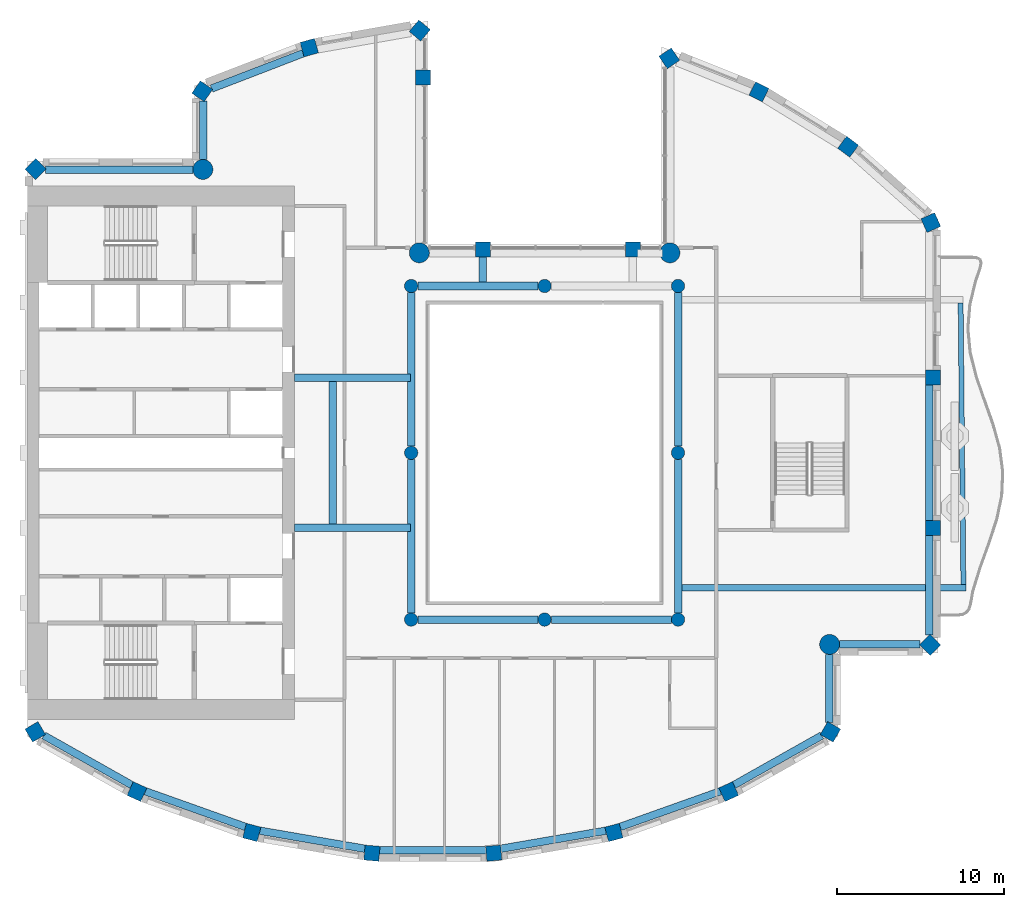
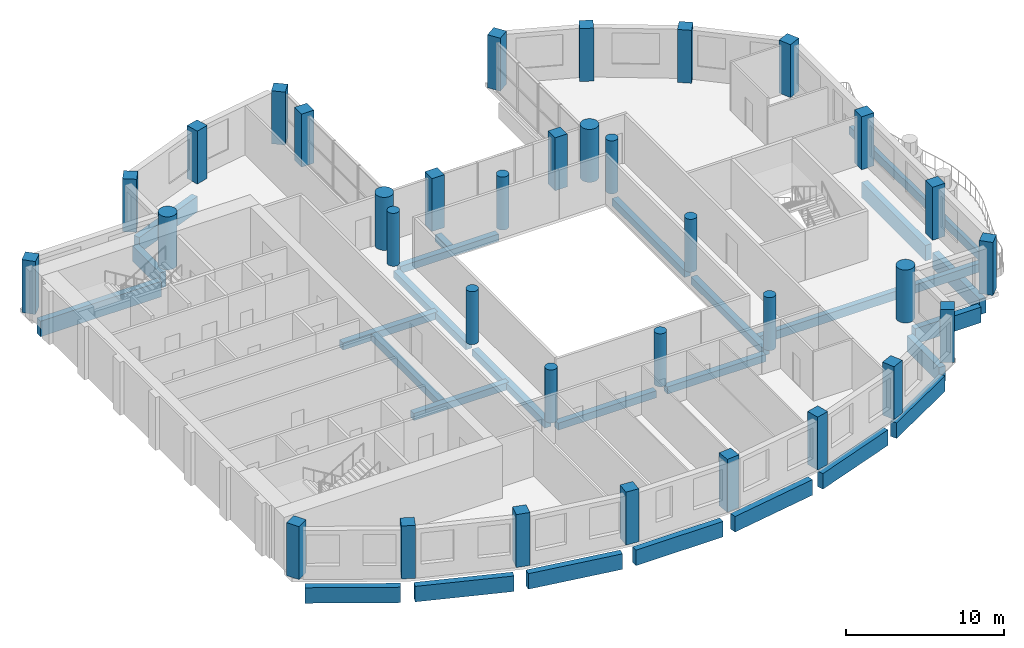
# One storey, part 1 of 15: 34 columns, 27 beams.
"""IFC4 building model written with IfcOpenShell, lengths in metres."""

from ifc_helpers import new_model, si_unit, direction, frame, origin, origin_2d, place, context, subcontext, project, spatial, rectangle, circle, extrude, material, material_profile, profile_set, type_object, element, save


model = new_model("IFC4")

# Units and contexts
model_context = context("Model", 3, precision=1e-05, world=origin(), true_north=direction((0.0, 1.0)))
body_context = subcontext(model_context, "Body", "Model", "MODEL_VIEW")
ifc_project = project(units=[si_unit("LENGTHUNIT", "METRE"), si_unit("AREAUNIT", "SQUARE_METRE"), si_unit("VOLUMEUNIT", "CUBIC_METRE"), si_unit("PLANEANGLEUNIT", "RADIAN"), si_unit("MASSUNIT", "GRAM", prefix="KILO")], contexts=[model_context])

# Site, building, storey
site_placement = place(None, origin())
site = spatial("IfcSite", under=ifc_project, at=site_placement, CompositionType="ELEMENT")
building_placement = place(site_placement, origin())
building = spatial("IfcBuilding", under=site, at=building_placement, Name="Cypress Arch Tower", CompositionType="ELEMENT")
storey_placement = place(building_placement, frame((0.0, 0.0, 309.0)))
storey = spatial("IfcBuildingStorey", under=building, at=storey_placement, Name="L70", CompositionType="ELEMENT", Elevation=309.0)

# Columns
ifc_material_1 = material(Name="Concrete C60/75", Category="concrete")
ifc_material_profile_1 = material_profile(ifc_material_1, rectangle(XDim=0.89990234375, YDim=0.89990234375, at=origin_2d()), Name="RC 900x900")
ifc_profile_set_1 = profile_set([ifc_material_profile_1], Name="Concrete C60/75")
column_type_1 = type_object("IfcColumnType", Name="Column RC 900x900 Concrete C60/75", PredefinedType="COLUMN", material=ifc_profile_set_1)
for number, where, z_axis, x_axis, name in (
    (1, (8.474853515625, 23.6474609375, 0.0), (0.0, 0.0, 1.0), (-0.828469606019, -0.560034027451, 0.0), "Column L70 CC00"),
    (2, (6.300048828125, 12.199951171875, 0.0), (0.0, 0.0, 1.0), (-1.0, 0.0, 0.0), "Column L70 CC02"),
    (3, (-2.699951171875, 12.199951171875, 0.0), (0.0, 0.0, 1.0), (-1.0, 0.0, 0.0), "Column L70 CC03"),
    (4, (-6.300048828125, 22.5, 0.0), (0.0, 0.0, 1.0), (0.0, 1.0, 0.0), "Column L70 CC05"),
    (5, (-6.48388671875, 25.313232421875, 0.0), (0.0, 0.0, 1.0), (-0.766063514674, 0.642764880407, 0.0), "Column L70 CC06"),
    (6, (-13.108154296875, 24.28955078125, 0.0), (0.0, 0.0, 1.0), (-0.96345574646, -0.267867550506, 0.0), "Column L70 CC07"),
    (7, (-19.5244140625, 21.673583984375, 0.0), (0.0, 0.0, 1.0), (-0.565892599589, -0.824478966215, 0.0), "Column L70 CC08"),
    (8, (-29.513671875, 17.013671875, 0.0), (0.0, 0.0, 1.0), (-0.707106781187, -0.707106781187, 0.0), "Column L70 CC10"),
    (9, (-29.534423828125, -16.72802734375, 0.0), (0.0, 0.0, 1.0), (0.504399289829, -0.86347053014, 0.0), "Column L70 CC11"),
    (10, (-23.439697265625, -20.312255859375, 0.0), (0.0, 0.0, 1.0), (0.909932071487, -0.414757308891, 0.0), "Column L70 CC12"),
    (11, (-16.55419921875, -22.762939453125, 0.0), (0.0, 0.0, 1.0), (0.96735573689, -0.2534223319, 0.0), "Column L70 CC13"),
    (12, (-9.351318359375, -24.00341796875, 0.0), (0.0, 0.0, 1.0), (0.996368206733, -0.085149260784, 0.0), "Column L70 CC14"),
    (13, (-2.048828125, -24.00341796875, 0.0), (0.0, 0.0, 1.0), (0.996368206733, 0.085149260784, 0.0), "Column L70 CC15"),
    (14, (5.154296875, -22.762939453125, 0.0), (0.0, 0.0, 1.0), (0.96735573689, 0.2534223319, 0.0), "Column L70 CC16"),
    (15, (12.039794921875, -20.312255859375, 0.0), (0.0, 0.0, 1.0), (0.909932071487, 0.414757308891, 0.0), "Column L70 CC17"),
    (16, (18.134521484375, -16.72802734375, 0.0), (0.0, 0.0, 1.0), (0.504399289829, 0.86347053014, 0.0), "Column L70 CC18"),
    (17, (24.113525390625, -11.513671875, 0.0), (0.0, 0.0, 1.0), (0.707106781187, 0.707106781187, 0.0), "Column L70 CC20"),
    (18, (24.300048828125, -4.5, 0.0), (0.0, 0.0, 1.0), (0.0, 1.0, 0.0), "Column L70 CC21"),
    (19, (24.300048828125, 4.5, 0.0), (0.0, 0.0, 1.0), (0.0, 1.0, 0.0), "Column L70 CC22"),
    (20, (24.155029296875, 13.800048828125, 0.0), (0.0, 0.0, 1.0), (-0.409765058504, 0.912191096662, 0.0), "Column L70 CC23"),
    (21, (19.197998046875, 18.347900390625, 0.0), (0.0, 0.0, 1.0), (-0.802798546114, 0.596250362144, 0.0), "Column L70 CC24"),
    (22, (13.84814453125, 21.638427734375, 0.0), (0.0, 0.0, 1.0), (-0.893106499805, 0.44984528452, 0.0), "Column L70 CC25"),
):
    element("IfcColumn", number, at=place(storey_placement, frame(where, z_axis=z_axis, x_axis=x_axis)), inside=storey, type_object=column_type_1, Name=name, PredefinedType="COLUMN", context=body_context, shape_type="SweptSolid", body=[
        extrude(rectangle(XDim=0.89990234375, YDim=0.89990234375, at=origin_2d()), origin(), (0.0, 0.0, 1.0), 4.10009765625),
    ])
ifc_material_2 = material(Name="Concrete C60/75", Category="concrete")
ifc_material_profile_2 = material_profile(ifc_material_2, circle(Radius=0.39990234375, at=origin_2d()), Name="RC D800")
ifc_profile_set_2 = profile_set([ifc_material_profile_2], Name="Concrete C60/75")
column_type_2 = type_object("IfcColumnType", Name="Column RC D800 Concrete C60/75", PredefinedType="COLUMN", material=ifc_profile_set_2)
for number, where, z_axis, x_axis, name in (
    (23, (-7.0, -10.0, 0.0), (0.0, 0.0, 1.0), (1.0, 0.0, 0.0), "Column L70 RNG-L70-G-7-10"),
    (24, (-7.0, 0.0, 0.0), (0.0, 0.0, 1.0), (1.0, 0.0, 0.0), "Column L70 RNG-L70-G-7+0"),
    (25, (-7.0, 10.0, 0.0), (0.0, 0.0, 1.0), (1.0, 0.0, 0.0), "Column L70 RNG-L70-G-7+10"),
    (26, (1.0, -10.0, 0.0), (0.0, 0.0, 1.0), (1.0, 0.0, 0.0), "Column L70 RNG-L70-G+1-10"),
    (27, (1.0, 10.0, 0.0), (0.0, 0.0, 1.0), (1.0, 0.0, 0.0), "Column L70 RNG-L70-G+1+10"),
    (28, (9.0, -10.0, 0.0), (0.0, 0.0, 1.0), (1.0, 0.0, 0.0), "Column L70 RNG-L70-G+9-10"),
    (29, (9.0, 0.0, 0.0), (0.0, 0.0, 1.0), (1.0, 0.0, 0.0), "Column L70 RNG-L70-G+9+0"),
    (30, (9.0, 10.0, 0.0), (0.0, 0.0, 1.0), (1.0, 0.0, 0.0), "Column L70 RNG-L70-G+9+10"),
):
    element("IfcColumn", number, at=place(storey_placement, frame(where, z_axis=z_axis, x_axis=x_axis)), inside=storey, type_object=column_type_2, Name=name, PredefinedType="COLUMN", context=body_context, shape_type="SweptSolid", body=[
        extrude(circle(Radius=0.39990234375, at=origin_2d()), origin(), (0.0, 0.0, 1.0), 4.10009765625),
    ])
ifc_material_3 = material(Name="Concrete C60/75", Category="concrete")
ifc_material_profile_3 = material_profile(ifc_material_3, circle(Radius=0.60009765625, at=origin_2d()), Name="RC D1200")
ifc_profile_set_3 = profile_set([ifc_material_profile_3], Name="Concrete C60/75")
column_type_3 = type_object("IfcColumnType", Name="Mega-column RC D1200 Concrete C60/75", PredefinedType="COLUMN", material=ifc_profile_set_3)
for number, where, z_axis, x_axis, name in (
    (31, (8.51220703125, 11.98779296875, 0.0), (0.0, 0.0, 1.0), (1.0, 0.0, 0.0), "Column L70 CC01"),
    (32, (-6.51220703125, 11.98779296875, 0.0), (0.0, 0.0, 1.0), (1.0, 0.0, 0.0), "Column L70 CC04"),
    (33, (-19.48779296875, 16.98779296875, 0.0), (0.0, 0.0, 1.0), (1.0, 0.0, 0.0), "Column L70 CC09"),
    (34, (18.087890625, -11.48779296875, 0.0), (0.0, 0.0, 1.0), (1.0, 0.0, 0.0), "Column L70 CC19"),
):
    element("IfcColumn", number, at=place(storey_placement, frame(where, z_axis=z_axis, x_axis=x_axis)), inside=storey, type_object=column_type_3, Name=name, PredefinedType="COLUMN", context=body_context, shape_type="SweptSolid", body=[
        extrude(circle(Radius=0.60009765625, at=origin_2d()), origin(), (0.0, 0.0, 1.0), 4.10009765625),
    ])

# Beams
ifc_material_4 = material(Name="Concrete C50/60", Category="concrete")
ifc_material_profile_4 = material_profile(ifc_material_4, rectangle(XDim=0.300048828125, YDim=0.64990234375, at=origin_2d()), Name="RC 300x650")
ifc_profile_set_4 = profile_set([ifc_material_profile_4], Name="Concrete C50/60")
beam_type_1 = type_object("IfcBeamType", Name="Balcony edge beam RC 300x650 Concrete C50/60", PredefinedType="BEAM", material=ifc_profile_set_4)
beam_1_placement = place(storey_placement, frame((26.107177734375, -7.89990234375, -0.625), z_axis=(-0.00974632308, 0.999952503465, 0.0), x_axis=(-0.999952503465, -0.00974632308, 0.0)))
element("IfcBeam", 35, at=beam_1_placement, inside=storey, type_object=beam_type_1, Name="Balcony edge beam L70 C17", PredefinedType="BEAM", context=body_context, shape_type="SweptSolid", body=[
    extrude(rectangle(XDim=0.300048828125, YDim=0.64990234375, at=origin_2d()), origin(), (0.0, 0.0, 1.0), 16.88330078125),
])
ifc_material_5 = material(Name="Concrete C50/60", Category="concrete")
ifc_material_profile_5 = material_profile(ifc_material_5, rectangle(XDim=0.39990234375, YDim=0.64990234375, at=origin_2d()), Name="RC 400x650")
ifc_profile_set_5 = profile_set([ifc_material_profile_5], Name="Concrete C50/60")
beam_type_2 = type_object("IfcBeamType", Name="Cantilever beam RC 400x650 Concrete C50/60", PredefinedType="BEAM", material=ifc_profile_set_5)
beam_2_placement = place(storey_placement, frame((9.22509765625, -8.10009765625, -0.625), z_axis=(1.0, 0.0, 0.0), x_axis=(0.0, 1.0, 0.0)))
element("IfcBeam", 36, at=beam_2_placement, inside=storey, type_object=beam_type_2, Name="Cantilever beam L70 C17 1", PredefinedType="BEAM", context=body_context, shape_type="SweptSolid", body=[
    extrude(rectangle(XDim=0.39990234375, YDim=0.64990234375, at=origin_2d()), origin(), (0.0, 0.0, 1.0), 17.031982421875),
])
ifc_material_6 = material(Name="Concrete C50/60", Category="concrete")
ifc_material_profile_6 = material_profile(ifc_material_6, rectangle(XDim=0.449951171875, YDim=0.550048828125, at=origin_2d()), Name="RC 450x550")
ifc_profile_set_6 = profile_set([ifc_material_profile_6], Name="Concrete C50/60")
beam_type_3 = type_object("IfcBeamType", Name="Floor beam RC 450x550 Concrete C50/60", PredefinedType="BEAM", material=ifc_profile_set_6)
for number, where, z_axis, x_axis, name in (
    (37, (-7.0, -9.60009765625, -0.574951171875), (0.0, 1.0, 0.0), (-1.0, 0.0, 0.0), "Floor beam L70 RB001"),
    (38, (-7.0, 0.39990234375, -0.574951171875), (0.0, 1.0, 0.0), (-1.0, 0.0, 0.0), "Floor beam L70 RB002"),
    (39, (9.0, -9.60009765625, -0.574951171875), (0.0, 1.0, 0.0), (-1.0, 0.0, 0.0), "Floor beam L70 RB003"),
    (40, (9.0, 0.39990234375, -0.574951171875), (0.0, 1.0, 0.0), (-1.0, 0.0, 0.0), "Floor beam L70 RB004"),
):
    element("IfcBeam", number, at=place(storey_placement, frame(where, z_axis=z_axis, x_axis=x_axis)), inside=storey, type_object=beam_type_3, Name=name, PredefinedType="BEAM", context=body_context, shape_type="SweptSolid", body=[
        extrude(rectangle(XDim=0.449951171875, YDim=0.550048828125, at=origin_2d()), origin(), (0.0, 0.0, 1.0), 9.2001953125),
    ])
for number, where, z_axis, x_axis, name in (
    (41, (-6.60009765625, -10.0, -0.574951171875), (1.0, 0.0, 0.0), (0.0, 1.0, 0.0), "Floor beam L70 RB005"),
    (42, (1.39990234375, -10.0, -0.574951171875), (1.0, 0.0, 0.0), (0.0, 1.0, 0.0), "Floor beam L70 RB006"),
    (43, (-6.60009765625, 10.0, -0.574951171875), (1.0, 0.0, 0.0), (0.0, 1.0, 0.0), "Floor beam L70 RB007"),
):
    element("IfcBeam", number, at=place(storey_placement, frame(where, z_axis=z_axis, x_axis=x_axis)), inside=storey, type_object=beam_type_3, Name=name, PredefinedType="BEAM", context=body_context, shape_type="SweptSolid", body=[
        extrude(rectangle(XDim=0.449951171875, YDim=0.550048828125, at=origin_2d()), origin(), (0.0, 0.0, 1.0), 7.2001953125),
    ])
for number, where, z_axis, x_axis, name in (
    (44, (-14.0, -4.5, -0.574951171875), (1.0, 0.0, 0.0), (0.0, 1.0, 0.0), "Floor beam L70 FB009"),
    (45, (-14.0, 4.5, -0.574951171875), (1.0, 0.0, 0.0), (0.0, 1.0, 0.0), "Floor beam L70 FB010"),
):
    element("IfcBeam", number, at=place(storey_placement, frame(where, z_axis=z_axis, x_axis=x_axis)), inside=storey, type_object=beam_type_3, Name=name, PredefinedType="BEAM", context=body_context, shape_type="SweptSolid", body=[
        extrude(rectangle(XDim=0.449951171875, YDim=0.550048828125, at=origin_2d()), origin(), (0.0, 0.0, 1.0), 6.949951171875),
    ])
beam_3_placement = place(storey_placement, frame((-11.699951171875, -4.27490234375, -0.574951171875), z_axis=(0.0, 1.0, 0.0), x_axis=(-1.0, 0.0, 0.0)))
element("IfcBeam", 46, at=beam_3_placement, inside=storey, type_object=beam_type_3, Name="Floor beam L70 FB011", PredefinedType="BEAM", context=body_context, shape_type="SweptSolid", body=[
    extrude(rectangle(XDim=0.449951171875, YDim=0.550048828125, at=origin_2d()), origin(), (0.0, 0.0, 1.0), 8.5498046875),
])
beam_4_placement = place(storey_placement, frame((-2.699951171875, 10.22509765625, -0.574951171875), z_axis=(0.0, 1.0, 0.0), x_axis=(-1.0, 0.0, 0.0)))
element("IfcBeam", 47, at=beam_4_placement, inside=storey, type_object=beam_type_3, Name="Floor beam L70 FB012", PredefinedType="BEAM", context=body_context, shape_type="SweptSolid", body=[
    extrude(rectangle(XDim=0.449951171875, YDim=0.550048828125, at=origin_2d()), origin(), (0.0, 0.0, 1.0), 1.52490234375),
])
ifc_material_7 = material(Name="Concrete C50/60", Category="concrete")
ifc_material_profile_7 = material_profile(ifc_material_7, rectangle(XDim=0.449951171875, YDim=1.199951171875, at=origin_2d()), Name="RC 450x1200")
ifc_profile_set_7 = profile_set([ifc_material_profile_7], Name="Concrete C50/60")
beam_type_4 = type_object("IfcBeamType", Name="Spandrel beam RC 450x1200 Concrete C50/60", PredefinedType="SPANDREL", material=ifc_profile_set_7)
beam_5_placement = place(storey_placement, frame((-13.48046875, 23.94921875, -1.550048828125), z_axis=(-0.933138853319, -0.359516175472, 0.0), x_axis=(0.359516175472, -0.933138853319, 0.0)))
element("IfcBeam", 48, at=beam_5_placement, inside=storey, type_object=beam_type_4, Name="Spandrel beam L70 BC04-0", PredefinedType="SPANDREL", context=body_context, shape_type="SweptSolid", body=[
    extrude(rectangle(XDim=0.449951171875, YDim=1.199951171875, at=origin_2d()), origin(), (0.0, 0.0, 1.0), 5.878173828125),
])
beam_6_placement = place(storey_placement, frame((-19.47509765625, 21.09375, -1.550048828125), z_axis=(0.0, -1.0, 0.0), x_axis=(1.0, 0.0, 0.0)))
element("IfcBeam", 49, at=beam_6_placement, inside=storey, type_object=beam_type_4, Name="Spandrel beam L70 BC05-0", PredefinedType="SPANDREL", context=body_context, shape_type="SweptSolid", body=[
    extrude(rectangle(XDim=0.449951171875, YDim=1.199951171875, at=origin_2d()), origin(), (0.0, 0.0, 1.0), 3.506103515625),
])
beam_7_placement = place(storey_placement, frame((-20.087646484375, 16.97509765625, -1.550048828125), z_axis=(-1.0, 0.0, 0.0), x_axis=(0.0, -1.0, 0.0)))
element("IfcBeam", 50, at=beam_7_placement, inside=storey, type_object=beam_type_4, Name="Spandrel beam L70 BC06-0", PredefinedType="SPANDREL", context=body_context, shape_type="SweptSolid", body=[
    extrude(rectangle(XDim=0.449951171875, YDim=1.199951171875, at=origin_2d()), origin(), (0.0, 0.0, 1.0), 8.828125),
])
beam_8_placement = place(storey_placement, frame((-29.02099609375, -16.94921875, -1.550048828125), z_axis=(0.871059543975, -0.491177433165, 0.0), x_axis=(0.491177433165, 0.871059543975, 0.0)))
element("IfcBeam", 51, at=beam_8_placement, inside=storey, type_object=beam_type_4, Name="Spandrel beam L70 BC08-0", PredefinedType="SPANDREL", context=body_context, shape_type="SweptSolid", body=[
    extrude(rectangle(XDim=0.449951171875, YDim=1.199951171875, at=origin_2d()), origin(), (0.0, 0.0, 1.0), 6.045654296875),
])
beam_9_placement = place(storey_placement, frame((-22.93603515625, -20.2919921875, -1.550048828125), z_axis=(0.942120065582, -0.33527568064, 0.0), x_axis=(0.33527568064, 0.942120065582, 0.0)))
element("IfcBeam", 52, at=beam_9_placement, inside=storey, type_object=beam_type_4, Name="Spandrel beam L70 BC09-0", PredefinedType="SPANDREL", context=body_context, shape_type="SweptSolid", body=[
    extrude(rectangle(XDim=0.449951171875, YDim=1.199951171875, at=origin_2d()), origin(), (0.0, 0.0, 1.0), 6.373046875),
])
beam_10_placement = place(storey_placement, frame((-16.061279296875, -22.656982421875, -1.550048828125), z_axis=(0.985502990778, -0.169658053646, 0.0), x_axis=(0.169658053646, 0.985502990778, 0.0)))
element("IfcBeam", 53, at=beam_10_placement, inside=storey, type_object=beam_type_4, Name="Spandrel beam L70 BC10-0", PredefinedType="SPANDREL", context=body_context, shape_type="SweptSolid", body=[
    extrude(rectangle(XDim=0.449951171875, YDim=1.199951171875, at=origin_2d()), origin(), (0.0, 0.0, 1.0), 6.373291015625),
])
beam_11_placement = place(storey_placement, frame((-8.883544921875, -23.81494140625, -1.550048828125), z_axis=(1.0, 0.0, 0.0), x_axis=(0.0, 1.0, 0.0)))
element("IfcBeam", 54, at=beam_11_placement, inside=storey, type_object=beam_type_4, Name="Spandrel beam L70 BC11-0", PredefinedType="SPANDREL", context=body_context, shape_type="SweptSolid", body=[
    extrude(rectangle(XDim=0.449951171875, YDim=1.199951171875, at=origin_2d()), origin(), (0.0, 0.0, 1.0), 6.366943359375),
])
beam_12_placement = place(storey_placement, frame((-1.619873046875, -23.73828125, -1.550048828125), z_axis=(0.985504093315, 0.169651649149, 0.0), x_axis=(-0.169651649149, 0.985504093315, 0.0)))
element("IfcBeam", 55, at=beam_12_placement, inside=storey, type_object=beam_type_4, Name="Spandrel beam L70 BC12-0", PredefinedType="SPANDREL", context=body_context, shape_type="SweptSolid", body=[
    extrude(rectangle(XDim=0.449951171875, YDim=1.199951171875, at=origin_2d()), origin(), (0.0, 0.0, 1.0), 6.37353515625),
])
beam_13_placement = place(storey_placement, frame((5.531982421875, -22.4287109375, -1.550048828125), z_axis=(0.942115759102, 0.335287781541, 0.0), x_axis=(-0.335287781541, 0.942115759102, 0.0)))
element("IfcBeam", 56, at=beam_13_placement, inside=storey, type_object=beam_type_4, Name="Spandrel beam L70 BC13-0", PredefinedType="SPANDREL", context=body_context, shape_type="SweptSolid", body=[
    extrude(rectangle(XDim=0.449951171875, YDim=1.199951171875, at=origin_2d()), origin(), (0.0, 0.0, 1.0), 6.372802734375),
])
beam_14_placement = place(storey_placement, frame((12.35498046875, -19.918701171875, -1.550048828125), z_axis=(0.871059543975, 0.491177433165, 0.0), x_axis=(-0.491177433165, 0.871059543975, 0.0)))
element("IfcBeam", 57, at=beam_14_placement, inside=storey, type_object=beam_type_4, Name="Spandrel beam L70 BC14-0", PredefinedType="SPANDREL", context=body_context, shape_type="SweptSolid", body=[
    extrude(rectangle(XDim=0.449951171875, YDim=1.199951171875, at=origin_2d()), origin(), (0.0, 0.0, 1.0), 6.045654296875),
])
beam_15_placement = place(storey_placement, frame((18.074951171875, -16.172119140625, -1.550048828125), z_axis=(0.0, 1.0, 0.0), x_axis=(-1.0, 0.0, 0.0)))
element("IfcBeam", 58, at=beam_15_placement, inside=storey, type_object=beam_type_4, Name="Spandrel beam L70 BC15-0", PredefinedType="SPANDREL", context=body_context, shape_type="SweptSolid", body=[
    extrude(rectangle(XDim=0.449951171875, YDim=1.199951171875, at=origin_2d()), origin(), (0.0, 0.0, 1.0), 4.08447265625),
])
beam_16_placement = place(storey_placement, frame((18.6875, -11.47509765625, -1.550048828125), z_axis=(1.0, 0.0, 0.0), x_axis=(0.0, 1.0, 0.0)))
element("IfcBeam", 59, at=beam_16_placement, inside=storey, type_object=beam_type_4, Name="Spandrel beam L70 BC16-0", PredefinedType="SPANDREL", context=body_context, shape_type="SweptSolid", body=[
    extrude(rectangle(XDim=0.449951171875, YDim=1.199951171875, at=origin_2d()), origin(), (0.0, 0.0, 1.0), 4.828369140625),
])
beam_17_placement = place(storey_placement, frame((24.074951171875, -10.915771484375, -1.550048828125), z_axis=(0.0, 1.0, 0.0), x_axis=(-1.0, 0.0, 0.0)))
element("IfcBeam", 60, at=beam_17_placement, inside=storey, type_object=beam_type_4, Name="Spandrel beam L70 BC17-0", PredefinedType="SPANDREL", context=body_context, shape_type="SweptSolid", body=[
    extrude(rectangle(XDim=0.449951171875, YDim=1.199951171875, at=origin_2d()), origin(), (0.0, 0.0, 1.0), 5.9658203125),
])
beam_18_placement = place(storey_placement, frame((24.074951171875, -4.050048828125, -1.550048828125), z_axis=(0.0, 1.0, 0.0), x_axis=(-1.0, 0.0, 0.0)))
element("IfcBeam", 61, at=beam_18_placement, inside=storey, type_object=beam_type_4, Name="Spandrel beam L70 BC17-1", PredefinedType="SPANDREL", context=body_context, shape_type="SweptSolid", body=[
    extrude(rectangle(XDim=0.449951171875, YDim=1.199951171875, at=origin_2d()), origin(), (0.0, 0.0, 1.0), 8.10009765625),
])

save(model, "model.ifc")
